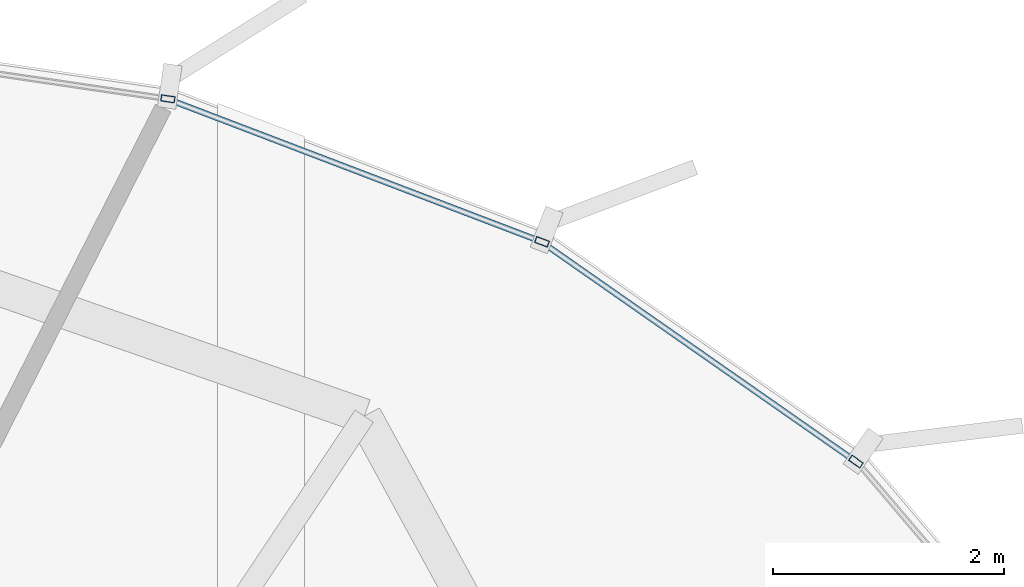
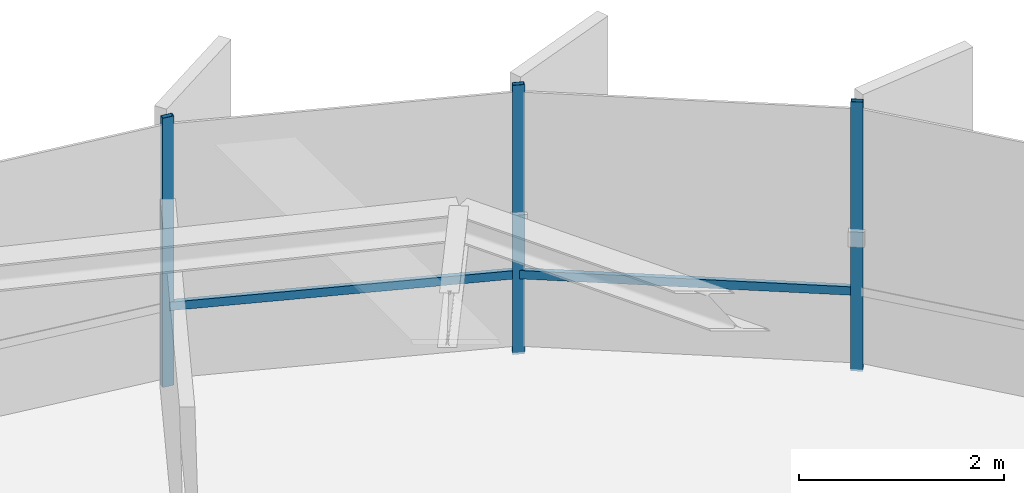
# One storey, part 27 of 36: 5 members, 1 element without a shape of its own.
"""IFC4 building model written with IfcOpenShell, lengths in metres."""

from ifc_helpers import new_model, si_unit, direction, frame, origin, origin_2d, place, context, subcontext, project, spatial, hollow_rectangle, extrude, source, transform, mapped, material, layer, layer_set, material_profile, profile_set, type_object, element, aggregate, save


model = new_model("IFC4")

# Units and contexts
model_context = context("Model", 3, precision=1e-05, world=origin(), true_north=direction((0.0, 1.0)))
body_context = subcontext(model_context, "Body", "Model", "MODEL_VIEW")
ifc_project = project(units=[si_unit("LENGTHUNIT", "METRE"), si_unit("AREAUNIT", "SQUARE_METRE"), si_unit("VOLUMEUNIT", "CUBIC_METRE"), si_unit("PLANEANGLEUNIT", "RADIAN"), si_unit("MASSUNIT", "GRAM", prefix="KILO"), si_unit("THERMODYNAMICTEMPERATUREUNIT", "KELVIN")], contexts=[model_context])

# Site, building, storey
site_placement = place(None, origin())
site = spatial("IfcSite", under=ifc_project, at=site_placement, CompositionType="ELEMENT")
building_placement = place(site_placement, origin())
building = spatial("IfcBuilding", under=site, at=building_placement, Name="Kethvar Cultural Tower", CompositionType="ELEMENT")
storey_placement = place(building_placement, frame((0.0, 0.0, 228.39990234375)))
storey = spatial("IfcBuildingStorey", under=building, at=storey_placement, Name="L59", CompositionType="ELEMENT", Elevation=228.39990234375)

# Curtain wall, members
ifc_material = material(Name="Aluminium 6063-T6", Category="aluminium")
ifc_layer = layer(ifc_material, 0.179931640625, Name="Aluminium 6063-T6", Category="aluminium")
ifc_layer_set = layer_set([ifc_layer], Name="Aluminium 6063-T6 (180 mm)")
curtain_wall_type = type_object("IfcCurtainWallType", Name="CW-SYS-05-Z56", PredefinedType="NOTDEFINED", material=ifc_layer_set)
curtain_wall_placement = place(storey_placement, origin())
curtain_wall = element("IfcCurtainWall", 1, at=curtain_wall_placement, inside=storey, type_object=curtain_wall_type, Name="L59 Curtain Wall Run 01", PredefinedType="NOTDEFINED")
ifc_material_profile_1 = material_profile(ifc_material, hollow_rectangle(XDim=0.054931640625, YDim=0.1201171875, WallThickness=0.00390625, at=origin_2d()), Name="Aluminium 6063-T6 — RHS120x55x4")
ifc_profile_set_1 = profile_set([ifc_material_profile_1], Name="Aluminium 6063-T6 — RHS120x55x4")
member_type_1 = type_object("IfcMemberType", Name="CW-SYS-05-Z56-MUL", PredefinedType="MULLION", material=ifc_profile_set_1)
shared_shape_1 = source(origin(), body_context, "Body", "SweptSolid", [
    extrude(hollow_rectangle(XDim=0.054931640625, YDim=0.1201171875, WallThickness=0.00390625, at=origin_2d()), origin(), (0.0, 0.0, 1.0), 3.210205078125),
])
member_1_placement = place(storey_placement, frame((63.914306640625, 46.64208984375, 0.0), z_axis=(0.0, 0.0, 1.0), x_axis=(-0.572761229337, -0.819722254284, 0.0)))
member_1 = element("IfcMember", 2, at=member_1_placement, type_object=member_type_1, Name="CW-L59-R01 Mullion 1", PredefinedType="MULLION", context=body_context, shape_type="MappedRepresentation", body=[
    mapped(shared_shape_1, transform((0.0, 0.0, 0.0), scale=1.0)),
])
member_2_placement = place(storey_placement, frame((61.193359375, 48.546875, 0.0), z_axis=(0.0, 0.0, 1.0), x_axis=(-0.356379264263, -0.934341383009, 0.0)))
member_2 = element("IfcMember", 3, at=member_2_placement, type_object=member_type_1, Name="CW-L59-R01 Mullion 2", PredefinedType="MULLION", context=body_context, shape_type="MappedRepresentation", body=[
    mapped(shared_shape_1, transform((0.0, 0.0, 0.0), scale=1.0)),
])
member_3_placement = place(storey_placement, frame((57.95068359375, 49.7861328125, 0.0), z_axis=(0.0, 0.0, 1.0), x_axis=(-0.145772232289, -0.989318177481, 0.0)))
member_3 = element("IfcMember", 4, at=member_3_placement, type_object=member_type_1, Name="CW-L59-R01 Mullion 3", PredefinedType="MULLION", context=body_context, shape_type="MappedRepresentation", body=[
    mapped(shared_shape_1, transform((0.0, 0.0, 0.0), scale=1.0)),
])
ifc_material_profile_2 = material_profile(ifc_material, hollow_rectangle(XDim=0.050048828125, YDim=0.10009765625, WallThickness=0.00390625, at=origin_2d()), Name="Aluminium 6063-T6 — RHS100x50x4")
ifc_profile_set_2 = profile_set([ifc_material_profile_2], Name="Aluminium 6063-T6 — RHS100x50x4")
member_type_2 = type_object("IfcMemberType", Name="CW-SYS-05-Z56-TRN", PredefinedType="USERDEFINED", material=ifc_profile_set_2)
shared_shape_2 = source(origin(), body_context, "Body", "SweptSolid", [
    extrude(hollow_rectangle(XDim=0.050048828125, YDim=0.10009765625, WallThickness=0.00390625, at=origin_2d()), origin(), (0.0, 0.0, 1.0), 3.30224609375),
])
member_4_placement = place(storey_placement, frame((63.9111328125, 46.644287109375, 0.9501953125), z_axis=(-0.8197734022, 0.572688020693, 0.0), x_axis=(-0.572688020693, -0.8197734022, 0.0)))
member_4 = element("IfcMember", 5, at=member_4_placement, type_object=member_type_2, Name="CW-L59-R01 Transom 1", ObjectType="TRANSOM", PredefinedType="USERDEFINED", context=body_context, shape_type="MappedRepresentation", body=[
    mapped(shared_shape_2, transform((0.0, 0.0, 0.0), scale=1.0)),
])
shared_shape_3 = source(origin(), body_context, "Body", "SweptSolid", [
    extrude(hollow_rectangle(XDim=0.050048828125, YDim=0.10009765625, WallThickness=0.00390625, at=origin_2d()), origin(), (0.0, 0.0, 1.0), 3.413818359375),
])
member_5_placement = place(storey_placement, frame((61.156494140625, 48.560791015625, 0.9501953125), z_axis=(-0.934324500954, 0.356423521834, 0.0), x_axis=(-0.356423521834, -0.934324500954, 0.0)))
member_5 = element("IfcMember", 6, at=member_5_placement, type_object=member_type_2, Name="CW-L59-R01 Transom 2", ObjectType="TRANSOM", PredefinedType="USERDEFINED", context=body_context, shape_type="MappedRepresentation", body=[
    mapped(shared_shape_3, transform((0.0, 0.0, 0.0), scale=1.0)),
])
aggregate(curtain_wall, [member_1, member_2, member_3, member_4, member_5])

save(model, "model.ifc")
